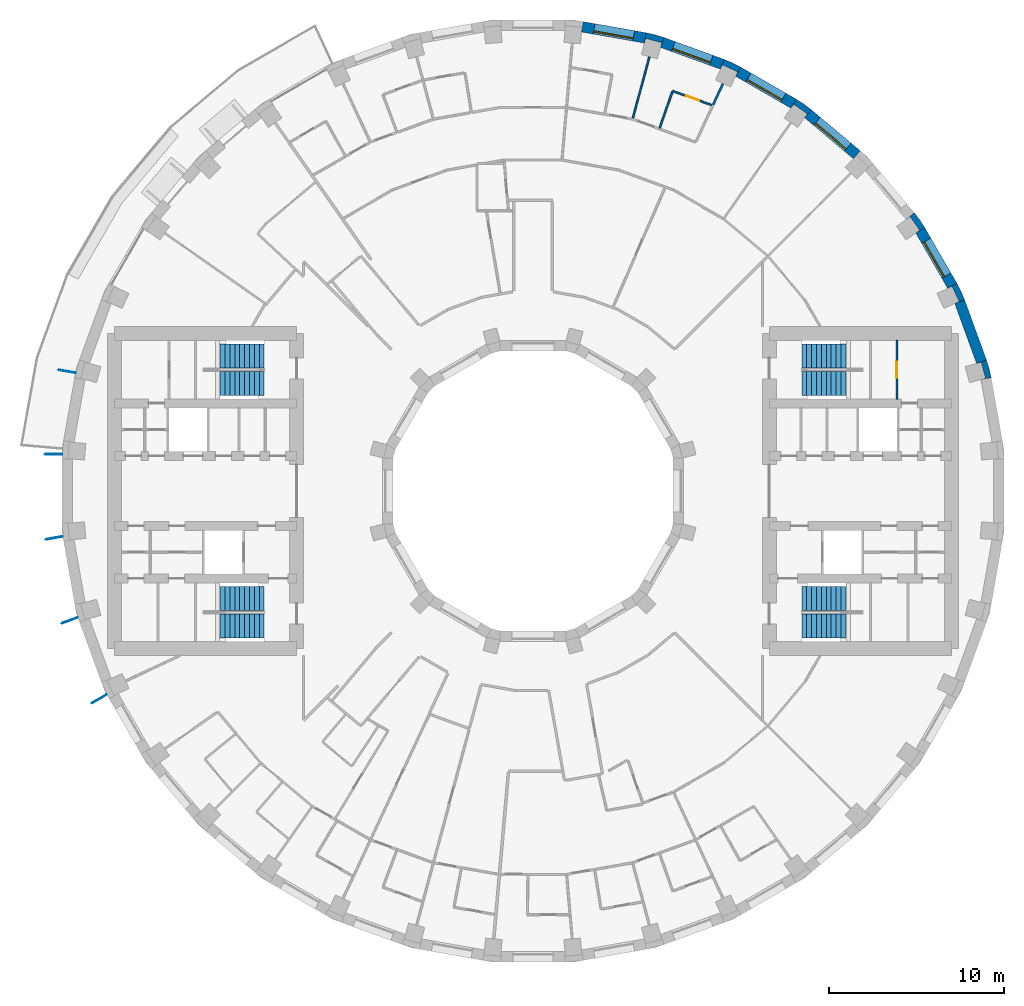
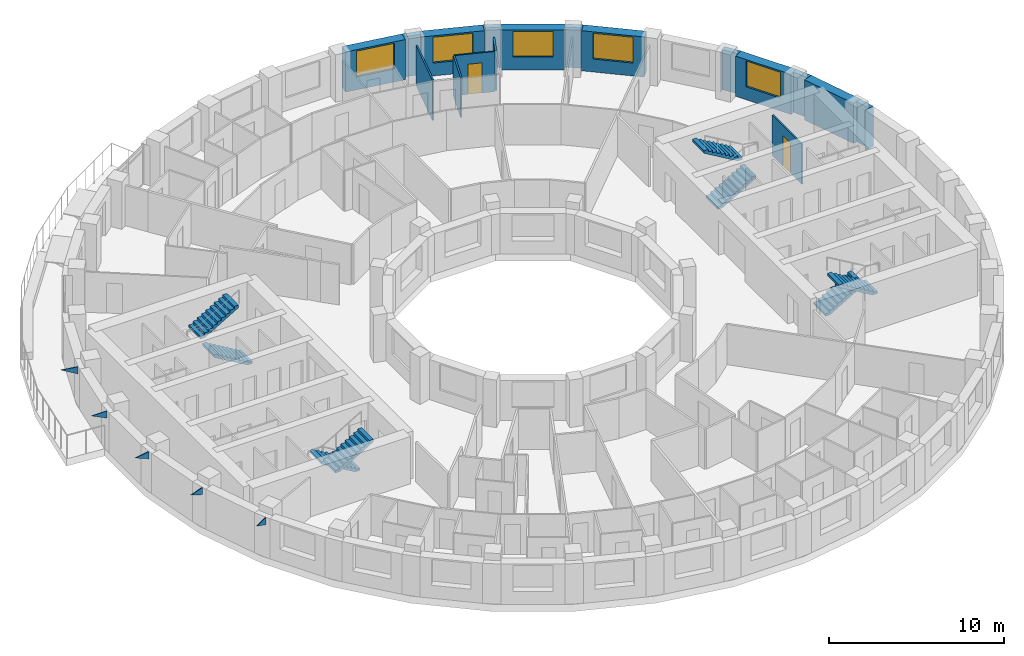
# One storey, part 13 of 15: 17 walls, 8 stair flights, 5 discrete accessories, 5 windows, 2 doors, 7 openings, 4 elements without a shape of their own.
"""IFC4 building model written with IfcOpenShell, lengths in metres."""

from ifc_helpers import new_model, si_unit, direction, frame, frame_2d, origin, place, context, subcontext, project, spatial, polyline, rectangle, outline, extrude, material, layer, layer_set, type_object, element, fill, aggregate, save


model = new_model("IFC4")

# Units and contexts
model_context = context("Model", 3, precision=1e-05, world=origin(), true_north=direction((0.0, 1.0)))
body_context = subcontext(model_context, "Body", "Model", "MODEL_VIEW")
ifc_project = project(units=[si_unit("LENGTHUNIT", "METRE"), si_unit("AREAUNIT", "SQUARE_METRE"), si_unit("VOLUMEUNIT", "CUBIC_METRE"), si_unit("PLANEANGLEUNIT", "RADIAN"), si_unit("MASSUNIT", "GRAM", prefix="KILO")], contexts=[model_context])

# Site, building, storey
site_placement = place(None, origin())
site = spatial("IfcSite", under=ifc_project, at=site_placement, CompositionType="ELEMENT")
building_placement = place(site_placement, origin())
building = spatial("IfcBuilding", under=site, at=building_placement, Name="Saqina Gate Tower", CompositionType="ELEMENT")
storey_placement = place(building_placement, frame((0.0, 0.0, 108.39990234375)))
storey = spatial("IfcBuildingStorey", under=building, at=storey_placement, Name="L30", CompositionType="ELEMENT", Elevation=108.39990234375)

# Walls
ifc_material_1 = material(Name="Brick masonry (buff)", Category="masonry")
wall_type_1 = type_object("IfcWallType", Name="BRICK PIER COPING BUFF", PredefinedType="SOLIDWALL", material=ifc_material_1)
wall_1_placement = place(storey_placement, origin())
element("IfcWall", 1, at=wall_1_placement, inside=storey, type_object=wall_type_1, Name="Pier cap L30 column 2", PredefinedType="SOLIDWALL", context=body_context, shape_type="SweptSolid", body=[
    extrude(outline(polyline([(26.171875, 6.466796875), (25.89892578125, 7.485595703125), (25.335205078125, 7.2802734375), (25.5947265625, 7.349853515625), (25.8408203125, 6.43212890625), (25.5810546875, 6.36279296875), (26.171875, 6.466796875)])), origin(), (0.0, 0.0, 1.0), 2.800048828125),
])
wall_2_placement = place(storey_placement, origin())
element("IfcWall", 2, at=wall_2_placement, inside=storey, type_object=wall_type_1, Name="Pier cap L30 column 3", PredefinedType="SOLIDWALL", context=body_context, shape_type="SweptSolid", body=[
    extrude(outline(polyline([(24.6513671875, 10.913330078125), (24.205810546875, 11.869140625), (23.68603515625, 11.569091796875), (23.9296875, 11.6826171875), (24.331298828125, 10.82177734375), (24.08740234375, 10.7080078125), (24.6513671875, 10.913330078125)])), origin(), (0.0, 0.0, 1.0), 2.800048828125),
])
wall_3_placement = place(storey_placement, origin())
element("IfcWall", 3, at=wall_3_placement, inside=storey, type_object=wall_type_1, Name="Pier cap L30 column 4", PredefinedType="SOLIDWALL", context=body_context, shape_type="SweptSolid", body=[
    extrude(outline(polyline([(21.77685546875, 15.89208984375), (21.317138671875, 15.50634765625), (21.53759765625, 15.66064453125), (22.08251953125, 14.88232421875), (21.862060546875, 14.728271484375), (22.3818359375, 15.0283203125), (21.77685546875, 15.89208984375)])), origin(), (0.0, 0.0, 1.0), 2.800048828125),
])
wall_4_placement = place(storey_placement, origin())
element("IfcWall", 4, at=wall_4_placement, inside=storey, type_object=wall_type_1, Name="Pier cap L30 column 6", PredefinedType="SOLIDWALL", context=body_context, shape_type="SweptSolid", body=[
    extrude(outline(polyline([(15.0283203125, 22.3818359375), (14.728271484375, 21.862060546875), (14.88232421875, 22.08251953125), (15.66064453125, 21.53759765625), (15.50634765625, 21.317138671875), (15.89208984375, 21.77685546875), (15.0283203125, 22.3818359375)])), origin(), (0.0, 0.0, 1.0), 2.800048828125),
])
wall_5_placement = place(storey_placement, origin())
element("IfcWall", 5, at=wall_5_placement, inside=storey, type_object=wall_type_1, Name="Pier cap L30 column 7", PredefinedType="SOLIDWALL", context=body_context, shape_type="SweptSolid", body=[
    extrude(outline(polyline([(10.913330078125, 24.6513671875), (10.7080078125, 24.08740234375), (10.82177734375, 24.331298828125), (11.6826171875, 23.9296875), (11.569091796875, 23.68603515625), (11.869140625, 24.205810546875), (10.913330078125, 24.6513671875)])), origin(), (0.0, 0.0, 1.0), 2.800048828125),
])
wall_6_placement = place(storey_placement, origin())
element("IfcWall", 6, at=wall_6_placement, inside=storey, type_object=wall_type_1, Name="Pier cap L30 column 8", PredefinedType="SOLIDWALL", context=body_context, shape_type="SweptSolid", body=[
    extrude(outline(polyline([(7.485595703125, 25.89892578125), (6.466796875, 26.171875), (6.36279296875, 25.5810546875), (6.43212890625, 25.8408203125), (7.349853515625, 25.5947265625), (7.2802734375, 25.335205078125), (7.485595703125, 25.89892578125)])), origin(), (0.0, 0.0, 1.0), 2.800048828125),
])

# Wall, opening, door
ifc_material_2 = material(Name="Gypsum board on steel studs", Category="steel")
ifc_layer_1 = layer(ifc_material_2, 0.10009765625)
ifc_layer_set_1 = layer_set([ifc_layer_1], Name="CORE PARTITION")
wall_type_2 = type_object("IfcWallType", Name="CORE PARTITION", PredefinedType="PARTITIONING", material=ifc_layer_set_1)
wall_7_placement = place(storey_placement, frame((20.782958984375, 5.25, 0.0), z_axis=(0.0, 0.0, 1.0), x_axis=(0.0, 1.0, 0.0)))
wall_7 = element("IfcWall", 7, at=wall_7_placement, inside=storey, type_object=wall_type_2, Name="L30-CP-E14", PredefinedType="PARTITIONING", context=body_context, shape_type="SweptSolid", body=[
    extrude(rectangle(XDim=3.35009765625, YDim=0.10009765625, at=frame_2d((1.675048828125, 0.0))), origin(), (0.0, 0.0, 1.0), 2.800048828125),
])
opening_1_placement = place(wall_7_placement, frame((1.22509765625, 0.0, 0.0)))
opening_1 = element("IfcOpeningElement", 8, at=opening_1_placement, cuts=wall_7, Name="Opening G08-D100", PredefinedType="OPENING", context=body_context, shape_type="SweptSolid", body=[
    extrude(rectangle(XDim=0.89990234375, YDim=2.10009765625, at=frame_2d((0.449951171875, 1.050048828125))), frame((0.0, 0.06201171875, 0.0), z_axis=(0.0, -1.0, 0.0), x_axis=(1.0, 0.0, 0.0)), (0.0, 0.0, 1.0), 0.1240234375),
])
ifc_material_3 = material(Name="Steel-framed fire door leaf, EI 60", Category="steel")
door_type_1 = type_object("IfcDoorType", Name="SERVICE ROOM DOOR 900", OperationType="SINGLE_SWING_LEFT", PredefinedType="DOOR", material=ifc_material_3)
door_1_placement = place(opening_1_placement, frame((0.89990234375, 0.0, 0.0), z_axis=(0.0, 0.0, 1.0), x_axis=(-1.0, 0.0, 0.0)))
door_1 = element("IfcDoor", 9, at=door_1_placement, inside=storey, type_object=door_type_1, Name="L30-CD-E11", OperationType="SINGLE_SWING_LEFT", OverallHeight=2.10009765625, OverallWidth=0.89990234375, PredefinedType="DOOR", context=body_context, shape_type="SweptSolid", body=[
    extrude(rectangle(XDim=0.89990234375, YDim=2.10009765625, at=frame_2d((0.449951171875, 1.050048828125))), frame((0.0, 0.02490234375, 0.0), z_axis=(0.0, -1.0, 0.0), x_axis=(1.0, 0.0, 0.0)), (0.0, 0.0, 1.0), 0.050048828125),
])
fill(opening_1, door_1)

# Wall, opening, window
ifc_material_4 = material(Name="Brick masonry (buff)", Category="masonry")
ifc_layer_2 = layer(ifc_material_4, 0.60009765625)
ifc_layer_set_2 = layer_set([ifc_layer_2], Name="FW-BRICK-BUFF")
wall_type_3 = type_object("IfcWallType", Name="FW-BRICK-BUFF", PredefinedType="SOLIDWALL", material=ifc_layer_set_2)
wall_8_placement = place(storey_placement, frame((23.94580078125, 11.718994140625, 0.0), z_axis=(0.0, 0.0, 1.0), x_axis=(-0.499954196102, 0.866051847062, 0.0)))
wall_8 = element("IfcWall", 10, at=wall_8_placement, inside=storey, type_object=wall_type_3, Name="Facade wall L30 facet 3", PredefinedType="SOLIDWALL", context=body_context, shape_type="SweptSolid", body=[
    extrude(rectangle(XDim=3.647705078125, YDim=0.60009765625, at=frame_2d((1.82373046875, 0.0))), origin(), (0.0, 0.0, 1.0), 2.800048828125),
])
opening_2_placement = place(wall_8_placement, frame((0.673828125, 0.0, 0.89990234375)))
opening_2 = element("IfcOpeningElement", 11, at=opening_2_placement, cuts=wall_8, Name="Opening G08-W01", PredefinedType="OPENING", context=body_context, shape_type="SweptSolid", body=[
    extrude(rectangle(XDim=2.300048828125, YDim=1.800048828125, at=frame_2d((1.14990234375, 0.89990234375))), frame((0.0, 0.31201171875, 0.0), z_axis=(0.0, -1.0, 0.0), x_axis=(1.0, 0.0, 0.0)), (0.0, 0.0, 1.0), 0.6240234375),
])
ifc_material_5 = material(Name="Aluminium glazing", Category="aluminium")
window_type = type_object("IfcWindowType", Name="WN-B", PartitioningType="SINGLE_PANEL", PredefinedType="WINDOW", material=ifc_material_5)
window_1_placement = place(opening_2_placement, origin())
window_1 = element("IfcWindow", 12, at=window_1_placement, inside=storey, type_object=window_type, Name="Window L30 facet 3", OverallHeight=1.800048828125, OverallWidth=2.300048828125, PartitioningType="SINGLE_PANEL", PredefinedType="WINDOW", context=body_context, shape_type="SweptSolid", body=[
    extrude(rectangle(XDim=2.300048828125, YDim=1.800048828125, at=frame_2d((1.14990234375, 0.89990234375))), frame((0.0, 0.179931640625, 0.0), z_axis=(0.0, -1.0, 0.0), x_axis=(1.0, 0.0, 0.0)), (0.0, 0.0, 1.0), 0.06005859375),
])
fill(opening_2, window_1)

wall_9_placement = place(storey_placement, frame((18.49365234375, 19.202392578125, 0.0), z_axis=(0.0, 0.0, 1.0), x_axis=(-0.766055462616, 0.642774476932, 0.0)))
wall_9 = element("IfcWall", 13, at=wall_9_placement, inside=storey, type_object=wall_type_3, Name="Facade wall L30 facet 5", PredefinedType="SOLIDWALL", context=body_context, shape_type="SweptSolid", body=[
    extrude(rectangle(XDim=3.647705078125, YDim=0.60009765625, at=frame_2d((1.82373046875, 0.0))), origin(), (0.0, 0.0, 1.0), 2.800048828125),
])
opening_3_placement = place(wall_9_placement, frame((0.673828125, 0.0, 0.89990234375)))
opening_3 = element("IfcOpeningElement", 14, at=opening_3_placement, cuts=wall_9, Name="Opening G08-W03", PredefinedType="OPENING", context=body_context, shape_type="SweptSolid", body=[
    extrude(rectangle(XDim=2.300048828125, YDim=1.800048828125, at=frame_2d((1.14990234375, 0.89990234375))), frame((0.0, 0.31201171875, 0.0), z_axis=(0.0, -1.0, 0.0), x_axis=(1.0, 0.0, 0.0)), (0.0, 0.0, 1.0), 0.6240234375),
])
window_2_placement = place(opening_3_placement, origin())
window_2 = element("IfcWindow", 15, at=window_2_placement, inside=storey, type_object=window_type, Name="Window L30 facet 5", OverallHeight=1.800048828125, OverallWidth=2.300048828125, PartitioningType="SINGLE_PANEL", PredefinedType="WINDOW", context=body_context, shape_type="SweptSolid", body=[
    extrude(rectangle(XDim=2.300048828125, YDim=1.800048828125, at=frame_2d((1.14990234375, 0.89990234375))), frame((0.0, 0.179931640625, 0.0), z_axis=(0.0, -1.0, 0.0), x_axis=(1.0, 0.0, 0.0)), (0.0, 0.0, 1.0), 0.06005859375),
])
fill(opening_3, window_2)

wall_10_placement = place(storey_placement, frame((14.878173828125, 22.1220703125, 0.0), z_axis=(0.0, 0.0, 1.0), x_axis=(-0.866051847062, 0.499954196102, 0.0)))
wall_10 = element("IfcWall", 16, at=wall_10_placement, inside=storey, type_object=wall_type_3, Name="Facade wall L30 facet 6", PredefinedType="SOLIDWALL", context=body_context, shape_type="SweptSolid", body=[
    extrude(rectangle(XDim=3.647705078125, YDim=0.60009765625, at=frame_2d((1.82373046875, 0.0))), origin(), (0.0, 0.0, 1.0), 2.800048828125),
])
opening_4_placement = place(wall_10_placement, frame((0.673828125, 0.0, 0.89990234375)))
opening_4 = element("IfcOpeningElement", 17, at=opening_4_placement, cuts=wall_10, Name="Opening G08-W04", PredefinedType="OPENING", context=body_context, shape_type="SweptSolid", body=[
    extrude(rectangle(XDim=2.300048828125, YDim=1.800048828125, at=frame_2d((1.14990234375, 0.89990234375))), frame((0.0, 0.31201171875, 0.0), z_axis=(0.0, -1.0, 0.0), x_axis=(1.0, 0.0, 0.0)), (0.0, 0.0, 1.0), 0.6240234375),
])
window_3_placement = place(opening_4_placement, origin())
window_3 = element("IfcWindow", 18, at=window_3_placement, inside=storey, type_object=window_type, Name="Window L30 facet 6", OverallHeight=1.800048828125, OverallWidth=2.300048828125, PartitioningType="SINGLE_PANEL", PredefinedType="WINDOW", context=body_context, shape_type="SweptSolid", body=[
    extrude(rectangle(XDim=2.300048828125, YDim=1.800048828125, at=frame_2d((1.14990234375, 0.89990234375))), frame((0.0, 0.179931640625, 0.0), z_axis=(0.0, -1.0, 0.0), x_axis=(1.0, 0.0, 0.0)), (0.0, 0.0, 1.0), 0.06005859375),
])
fill(opening_4, window_3)

wall_11_placement = place(storey_placement, frame((10.810791015625, 24.369384765625, 0.0), z_axis=(0.0, 0.0, 1.0), x_axis=(-0.939703505393, 0.341990236633, 0.0)))
wall_11 = element("IfcWall", 19, at=wall_11_placement, inside=storey, type_object=wall_type_3, Name="Facade wall L30 facet 7", PredefinedType="SOLIDWALL", context=body_context, shape_type="SweptSolid", body=[
    extrude(rectangle(XDim=3.64794921875, YDim=0.60009765625, at=frame_2d((1.823974609375, 0.0))), origin(), (0.0, 0.0, 1.0), 2.800048828125),
])
opening_5_placement = place(wall_11_placement, frame((0.673828125, 0.0, 0.89990234375)))
opening_5 = element("IfcOpeningElement", 20, at=opening_5_placement, cuts=wall_11, Name="Opening G08-W05", PredefinedType="OPENING", context=body_context, shape_type="SweptSolid", body=[
    extrude(rectangle(XDim=2.300048828125, YDim=1.800048828125, at=frame_2d((1.14990234375, 0.89990234375))), frame((0.0, 0.31201171875, 0.0), z_axis=(0.0, -1.0, 0.0), x_axis=(1.0, 0.0, 0.0)), (0.0, 0.0, 1.0), 0.6240234375),
])
window_4_placement = place(opening_5_placement, origin())
window_4 = element("IfcWindow", 21, at=window_4_placement, inside=storey, type_object=window_type, Name="Window L30 facet 7", OverallHeight=1.800048828125, OverallWidth=2.300048828125, PartitioningType="SINGLE_PANEL", PredefinedType="WINDOW", context=body_context, shape_type="SweptSolid", body=[
    extrude(rectangle(XDim=2.300048828125, YDim=1.800048828125, at=frame_2d((1.14990234375, 0.89990234375))), frame((0.0, 0.179931640625, 0.0), z_axis=(0.0, -1.0, 0.0), x_axis=(1.0, 0.0, 0.0)), (0.0, 0.0, 1.0), 0.06005859375),
])
fill(opening_5, window_4)

wall_12_placement = place(storey_placement, frame((6.414794921875, 25.87646484375, 0.0), z_axis=(0.0, 0.0, 1.0), x_axis=(-0.984803764455, 0.173670796382, 0.0)))
wall_12 = element("IfcWall", 22, at=wall_12_placement, inside=storey, type_object=wall_type_3, Name="Facade wall L30 facet 8", PredefinedType="SOLIDWALL", context=body_context, shape_type="SweptSolid", body=[
    extrude(rectangle(XDim=3.64794921875, YDim=0.60009765625, at=frame_2d((1.823974609375, 0.0))), origin(), (0.0, 0.0, 1.0), 2.800048828125),
])
opening_6_placement = place(wall_12_placement, frame((0.673828125, 0.0, 0.89990234375)))
opening_6 = element("IfcOpeningElement", 23, at=opening_6_placement, cuts=wall_12, Name="Opening G08-W06", PredefinedType="OPENING", context=body_context, shape_type="SweptSolid", body=[
    extrude(rectangle(XDim=2.300048828125, YDim=1.800048828125, at=frame_2d((1.14990234375, 0.89990234375))), frame((0.0, 0.31201171875, 0.0), z_axis=(0.0, -1.0, 0.0), x_axis=(1.0, 0.0, 0.0)), (0.0, 0.0, 1.0), 0.6240234375),
])
window_5_placement = place(opening_6_placement, origin())
window_5 = element("IfcWindow", 24, at=window_5_placement, inside=storey, type_object=window_type, Name="Window L30 facet 8", OverallHeight=1.800048828125, OverallWidth=2.300048828125, PartitioningType="SINGLE_PANEL", PredefinedType="WINDOW", context=body_context, shape_type="SweptSolid", body=[
    extrude(rectangle(XDim=2.300048828125, YDim=1.800048828125, at=frame_2d((1.14990234375, 0.89990234375))), frame((0.0, 0.179931640625, 0.0), z_axis=(0.0, -1.0, 0.0), x_axis=(1.0, 0.0, 0.0)), (0.0, 0.0, 1.0), 0.06005859375),
])
fill(opening_6, window_5)

# Wall
ifc_material_6 = material(Name="Glazed ceramic tile (white)", Category="ceramic")
ifc_layer_3 = layer(ifc_material_6, 0.60009765625)
ifc_layer_set_3 = layer_set([ifc_layer_3], Name="FW-TILE-WH")
wall_type_4 = type_object("IfcWallType", Name="FW-TILE-WH", PredefinedType="SOLIDWALL", material=ifc_layer_set_3)
wall_13_placement = place(storey_placement, frame((25.616943359375, 7.3828125, 0.0), z_axis=(0.0, 0.0, 1.0), x_axis=(-0.341990236633, 0.939703505393, 0.0)))
element("IfcWall", 25, at=wall_13_placement, inside=storey, type_object=wall_type_4, Name="Facade wall L30 facet 2", PredefinedType="SOLIDWALL", context=body_context, shape_type="SweptSolid", body=[
    extrude(rectangle(XDim=3.64794921875, YDim=0.60009765625, at=frame_2d((1.823974609375, 0.0))), origin(), (0.0, 0.0, 1.0), 2.800048828125),
])

# Wall, opening, door
ifc_material_7 = material(Name="Gypsum board on steel studs, 100 mm", Category="steel")
ifc_layer_4 = layer(ifc_material_7, 0.10009765625)
ifc_layer_set_4 = layer_set([ifc_layer_4], Name="PARTITION 100")
wall_type_5 = type_object("IfcWallType", Name="PARTITION 100", PredefinedType="PARTITIONING", material=ifc_layer_set_4)
wall_14_placement = place(storey_placement, frame((7.97607421875, 22.846923828125, 0.0), z_axis=(0.0, 0.0, 1.0), x_axis=(0.939727609181, -0.341923998196, 0.0)))
wall_14 = element("IfcWall", 26, at=wall_14_placement, inside=storey, type_object=wall_type_5, Name="PARTITION PW3-36", PredefinedType="PARTITIONING", context=body_context, shape_type="SweptSolid", body=[
    extrude(rectangle(XDim=2.38330078125, YDim=0.10009765625, at=frame_2d((1.191650390625, 0.0))), origin(), (0.0, 0.0, 1.0), 2.800048828125),
])
opening_7_placement = place(wall_14_placement, frame((0.81787109375, 0.0, 0.0)))
opening_7 = element("IfcOpeningElement", 27, at=opening_7_placement, cuts=wall_14, Name="Opening G08-D05", PredefinedType="OPENING", context=body_context, shape_type="SweptSolid", body=[
    extrude(rectangle(XDim=0.800048828125, YDim=2.10009765625, at=frame_2d((0.39990234375, 1.050048828125))), frame((0.0, 0.06201171875, 0.0), z_axis=(0.0, -1.0, 0.0), x_axis=(1.0, 0.0, 0.0)), (0.0, 0.0, 1.0), 0.1240234375),
])
ifc_material_8 = material(Name="Timber door leaf, 800 mm", Category="wood")
door_type_2 = type_object("IfcDoorType", Name="DOOR 800 TIMBER", OperationType="SINGLE_SWING_LEFT", PredefinedType="DOOR", material=ifc_material_8)
door_2_placement = place(opening_7_placement, origin())
door_2 = element("IfcDoor", 28, at=door_2_placement, inside=storey, type_object=door_type_2, Name="DOOR G08-D05", OperationType="SINGLE_SWING_RIGHT", OverallHeight=2.10009765625, OverallWidth=0.800048828125, PredefinedType="DOOR", context=body_context, shape_type="SweptSolid", body=[
    extrude(rectangle(XDim=0.800048828125, YDim=2.10009765625, at=frame_2d((0.39990234375, 1.050048828125))), frame((0.0, 0.02490234375, 0.0), z_axis=(0.0, -1.0, 0.0), x_axis=(1.0, 0.0, 0.0)), (0.0, 0.0, 1.0), 0.050048828125),
])
fill(opening_7, door_2)

# Walls
wall_15_placement = place(storey_placement, frame((7.234375, 20.72314453125, 0.0), z_axis=(0.0, 0.0, 1.0), x_axis=(0.329648286048, 0.944103811827, 0.0)))
element("IfcWall", 29, at=wall_15_placement, inside=storey, type_object=wall_type_5, Name="PARTITION PW3-87", PredefinedType="PARTITIONING", context=body_context, shape_type="SweptSolid", body=[
    extrude(rectangle(XDim=2.19970703125, YDim=0.10009765625, at=frame_2d((1.099853515625, 0.0))), origin(), (0.0, 0.0, 1.0), 2.800048828125),
])
wall_16_placement = place(storey_placement, frame((5.705078125, 21.29248046875, 0.0), z_axis=(0.0, 0.0, 1.0), x_axis=(0.258807972942, 0.965928792997, 0.0)))
element("IfcWall", 30, at=wall_16_placement, inside=storey, type_object=wall_type_5, Name="PARTITION PW3-89", PredefinedType="PARTITIONING", context=body_context, shape_type="SweptSolid", body=[
    extrude(rectangle(XDim=3.621337890625, YDim=0.10009765625, at=frame_2d((1.810546875, 0.0))), origin(), (0.0, 0.0, 1.0), 2.800048828125),
])
ifc_material_9 = material(Name="Gypsum board on steel studs, 125 mm, fire rated", Category="steel")
ifc_layer_5 = layer(ifc_material_9, 0.125)
ifc_layer_set_5 = layer_set([ifc_layer_5], Name="PARTITION EI 30 125")
wall_type_6 = type_object("IfcWallType", Name="PARTITION EI 30 125", PredefinedType="PARTITIONING", material=ifc_layer_set_5)
wall_17_placement = place(storey_placement, frame((10.286376953125, 22.05908203125, 0.0), z_axis=(0.0, 0.0, 1.0), x_axis=(0.422582903395, 0.906324274064, 0.0)))
element("IfcWall", 31, at=wall_17_placement, inside=storey, type_object=wall_type_6, Name="PARTITION PW1-53", PredefinedType="PARTITIONING", context=body_context, shape_type="SweptSolid", body=[
    extrude(rectangle(XDim=1.325439453125, YDim=0.125, at=frame_2d((0.66259765625, 0.0))), origin(), (0.0, 0.0, 1.0), 2.800048828125),
])

# Stair, stair flights
ifc_material_10 = material(Name="Concrete C40/50", Category="concrete")
stair_type = type_object("IfcStairType", Name="EXIT STAIR", PredefinedType="HALF_TURN_STAIR", material=ifc_material_10)
stair_1_placement = place(storey_placement, origin())
stair_1 = element("IfcStair", 32, at=stair_1_placement, inside=storey, type_object=stair_type, Name="EXIT STAIR 1", PredefinedType="HALF_TURN_STAIR")
ifc_material_11 = material(Name="Concrete C40/50", Category="concrete")
stair_flight_type = type_object("IfcStairFlightType", Name="EXIT STAIR FLIGHT", PredefinedType="STRAIGHT", material=ifc_material_11)
stair_flight_1_placement = place(storey_placement, frame((15.35009765625, 6.1416015625, 0.0), z_axis=(0.0, 0.0, 1.0), x_axis=(1.0, 0.0, 0.0)))
stair_flight_1 = element("IfcStairFlight", 33, at=stair_flight_1_placement, type_object=stair_flight_type, Name="EXIT STAIR 1 FLIGHT 1", NumberOfRisers=10, NumberOfTreads=9, PredefinedType="STRAIGHT", RiserHeight=0.165, TreadLength=0.28, context=body_context, shape_type="SweptSolid", body=[
    extrude(outline(polyline([(0.0, 0.0), (0.0, 0.1650390625), (0.280029296875, 0.1650390625), (0.280029296875, 0.330078125), (0.56005859375, 0.330078125), (0.56005859375, 0.4951171875), (0.840087890625, 0.4951171875), (0.840087890625, 0.659912109375), (1.1201171875, 0.659912109375), (1.1201171875, 0.824951171875), (1.39990234375, 0.824951171875), (1.39990234375, 0.989990234375), (1.679931640625, 0.989990234375), (1.679931640625, 1.155029296875), (1.9599609375, 1.155029296875), (1.9599609375, 1.320068359375), (2.239990234375, 1.320068359375), (2.239990234375, 1.485107421875), (2.52001953125, 1.485107421875), (2.52001953125, 1.64990234375), (2.52001953125, 1.31103515625), (0.295166015625, 0.0), (0.0, 0.0)])), frame((0.0, 0.675048828125, 0.0), z_axis=(0.0, -1.0, 0.0), x_axis=(1.0, 0.0, 0.0)), (0.0, 0.0, 1.0), 1.35009765625),
])
stair_flight_2_placement = place(storey_placement, frame((17.8701171875, 7.708251953125, 1.650146484375), z_axis=(0.0, 0.0, 1.0), x_axis=(-1.0, 0.0, 0.0)))
stair_flight_2 = element("IfcStairFlight", 34, at=stair_flight_2_placement, type_object=stair_flight_type, Name="EXIT STAIR 1 FLIGHT 2", NumberOfRisers=10, NumberOfTreads=9, PredefinedType="STRAIGHT", RiserHeight=0.165, TreadLength=0.28, context=body_context, shape_type="SweptSolid", body=[
    extrude(outline(polyline([(0.0, 0.0), (0.0, 0.1650390625), (0.280029296875, 0.1650390625), (0.280029296875, 0.330078125), (0.56005859375, 0.330078125), (0.56005859375, 0.4951171875), (0.840087890625, 0.4951171875), (0.840087890625, 0.659912109375), (1.1201171875, 0.659912109375), (1.1201171875, 0.824951171875), (1.39990234375, 0.824951171875), (1.39990234375, 0.989990234375), (1.679931640625, 0.989990234375), (1.679931640625, 1.155029296875), (1.9599609375, 1.155029296875), (1.9599609375, 1.320068359375), (2.239990234375, 1.320068359375), (2.239990234375, 1.485107421875), (2.52001953125, 1.485107421875), (2.52001953125, 1.64990234375), (2.52001953125, 1.31103515625), (0.295166015625, 0.0), (0.0, 0.0)])), frame((0.0, 0.675048828125, 0.0), z_axis=(0.0, -1.0, 0.0), x_axis=(1.0, 0.0, 0.0)), (0.0, 0.0, 1.0), 1.35009765625),
])
aggregate(stair_1, [stair_flight_1, stair_flight_2])

stair_2_placement = place(storey_placement, origin())
stair_2 = element("IfcStair", 35, at=stair_2_placement, inside=storey, type_object=stair_type, Name="EXIT STAIR 2", PredefinedType="HALF_TURN_STAIR")
stair_flight_3_placement = place(storey_placement, frame((15.35009765625, -6.1416015625, 0.0), z_axis=(0.0, 0.0, 1.0), x_axis=(1.0, 0.0, 0.0)))
stair_flight_3 = element("IfcStairFlight", 36, at=stair_flight_3_placement, type_object=stair_flight_type, Name="EXIT STAIR 2 FLIGHT 1", NumberOfRisers=10, NumberOfTreads=9, PredefinedType="STRAIGHT", RiserHeight=0.165, TreadLength=0.28, context=body_context, shape_type="SweptSolid", body=[
    extrude(outline(polyline([(0.0, 0.0), (0.0, 0.1650390625), (0.280029296875, 0.1650390625), (0.280029296875, 0.330078125), (0.56005859375, 0.330078125), (0.56005859375, 0.4951171875), (0.840087890625, 0.4951171875), (0.840087890625, 0.659912109375), (1.1201171875, 0.659912109375), (1.1201171875, 0.824951171875), (1.39990234375, 0.824951171875), (1.39990234375, 0.989990234375), (1.679931640625, 0.989990234375), (1.679931640625, 1.155029296875), (1.9599609375, 1.155029296875), (1.9599609375, 1.320068359375), (2.239990234375, 1.320068359375), (2.239990234375, 1.485107421875), (2.52001953125, 1.485107421875), (2.52001953125, 1.64990234375), (2.52001953125, 1.31103515625), (0.295166015625, 0.0), (0.0, 0.0)])), frame((0.0, 0.675048828125, 0.0), z_axis=(0.0, -1.0, 0.0), x_axis=(1.0, 0.0, 0.0)), (0.0, 0.0, 1.0), 1.35009765625),
])
stair_flight_4_placement = place(storey_placement, frame((17.8701171875, -7.708251953125, 1.650146484375), z_axis=(0.0, 0.0, 1.0), x_axis=(-1.0, 0.0, 0.0)))
stair_flight_4 = element("IfcStairFlight", 37, at=stair_flight_4_placement, type_object=stair_flight_type, Name="EXIT STAIR 2 FLIGHT 2", NumberOfRisers=10, NumberOfTreads=9, PredefinedType="STRAIGHT", RiserHeight=0.165, TreadLength=0.28, context=body_context, shape_type="SweptSolid", body=[
    extrude(outline(polyline([(0.0, 0.0), (0.0, 0.1650390625), (0.280029296875, 0.1650390625), (0.280029296875, 0.330078125), (0.56005859375, 0.330078125), (0.56005859375, 0.4951171875), (0.840087890625, 0.4951171875), (0.840087890625, 0.659912109375), (1.1201171875, 0.659912109375), (1.1201171875, 0.824951171875), (1.39990234375, 0.824951171875), (1.39990234375, 0.989990234375), (1.679931640625, 0.989990234375), (1.679931640625, 1.155029296875), (1.9599609375, 1.155029296875), (1.9599609375, 1.320068359375), (2.239990234375, 1.320068359375), (2.239990234375, 1.485107421875), (2.52001953125, 1.485107421875), (2.52001953125, 1.64990234375), (2.52001953125, 1.31103515625), (0.295166015625, 0.0), (0.0, 0.0)])), frame((0.0, 0.675048828125, 0.0), z_axis=(0.0, -1.0, 0.0), x_axis=(1.0, 0.0, 0.0)), (0.0, 0.0, 1.0), 1.35009765625),
])
aggregate(stair_2, [stair_flight_3, stair_flight_4])

stair_3_placement = place(storey_placement, origin())
stair_3 = element("IfcStair", 38, at=stair_3_placement, inside=storey, type_object=stair_type, Name="EXIT STAIR 3", PredefinedType="HALF_TURN_STAIR")
stair_flight_5_placement = place(storey_placement, frame((-15.35009765625, 6.1416015625, 0.0), z_axis=(0.0, 0.0, 1.0), x_axis=(-1.0, 0.0, 0.0)))
stair_flight_5 = element("IfcStairFlight", 39, at=stair_flight_5_placement, type_object=stair_flight_type, Name="EXIT STAIR 3 FLIGHT 1", NumberOfRisers=10, NumberOfTreads=9, PredefinedType="STRAIGHT", RiserHeight=0.165, TreadLength=0.28, context=body_context, shape_type="SweptSolid", body=[
    extrude(outline(polyline([(0.0, 0.0), (0.0, 0.1650390625), (0.280029296875, 0.1650390625), (0.280029296875, 0.330078125), (0.56005859375, 0.330078125), (0.56005859375, 0.4951171875), (0.840087890625, 0.4951171875), (0.840087890625, 0.659912109375), (1.1201171875, 0.659912109375), (1.1201171875, 0.824951171875), (1.39990234375, 0.824951171875), (1.39990234375, 0.989990234375), (1.679931640625, 0.989990234375), (1.679931640625, 1.155029296875), (1.9599609375, 1.155029296875), (1.9599609375, 1.320068359375), (2.239990234375, 1.320068359375), (2.239990234375, 1.485107421875), (2.52001953125, 1.485107421875), (2.52001953125, 1.64990234375), (2.52001953125, 1.31103515625), (0.295166015625, 0.0), (0.0, 0.0)])), frame((0.0, 0.675048828125, 0.0), z_axis=(0.0, -1.0, 0.0), x_axis=(1.0, 0.0, 0.0)), (0.0, 0.0, 1.0), 1.35009765625),
])
stair_flight_6_placement = place(storey_placement, frame((-17.8701171875, 7.708251953125, 1.650146484375), z_axis=(0.0, 0.0, 1.0), x_axis=(1.0, 0.0, 0.0)))
stair_flight_6 = element("IfcStairFlight", 40, at=stair_flight_6_placement, type_object=stair_flight_type, Name="EXIT STAIR 3 FLIGHT 2", NumberOfRisers=10, NumberOfTreads=9, PredefinedType="STRAIGHT", RiserHeight=0.165, TreadLength=0.28, context=body_context, shape_type="SweptSolid", body=[
    extrude(outline(polyline([(0.0, 0.0), (0.0, 0.1650390625), (0.280029296875, 0.1650390625), (0.280029296875, 0.330078125), (0.56005859375, 0.330078125), (0.56005859375, 0.4951171875), (0.840087890625, 0.4951171875), (0.840087890625, 0.659912109375), (1.1201171875, 0.659912109375), (1.1201171875, 0.824951171875), (1.39990234375, 0.824951171875), (1.39990234375, 0.989990234375), (1.679931640625, 0.989990234375), (1.679931640625, 1.155029296875), (1.9599609375, 1.155029296875), (1.9599609375, 1.320068359375), (2.239990234375, 1.320068359375), (2.239990234375, 1.485107421875), (2.52001953125, 1.485107421875), (2.52001953125, 1.64990234375), (2.52001953125, 1.31103515625), (0.295166015625, 0.0), (0.0, 0.0)])), frame((0.0, 0.675048828125, 0.0), z_axis=(0.0, -1.0, 0.0), x_axis=(1.0, 0.0, 0.0)), (0.0, 0.0, 1.0), 1.35009765625),
])
aggregate(stair_3, [stair_flight_5, stair_flight_6])

stair_4_placement = place(storey_placement, origin())
stair_4 = element("IfcStair", 41, at=stair_4_placement, inside=storey, type_object=stair_type, Name="EXIT STAIR 4", PredefinedType="HALF_TURN_STAIR")
stair_flight_7_placement = place(storey_placement, frame((-15.35009765625, -6.1416015625, 0.0), z_axis=(0.0, 0.0, 1.0), x_axis=(-1.0, 0.0, 0.0)))
stair_flight_7 = element("IfcStairFlight", 42, at=stair_flight_7_placement, type_object=stair_flight_type, Name="EXIT STAIR 4 FLIGHT 1", NumberOfRisers=10, NumberOfTreads=9, PredefinedType="STRAIGHT", RiserHeight=0.165, TreadLength=0.28, context=body_context, shape_type="SweptSolid", body=[
    extrude(outline(polyline([(0.0, 0.0), (0.0, 0.1650390625), (0.280029296875, 0.1650390625), (0.280029296875, 0.330078125), (0.56005859375, 0.330078125), (0.56005859375, 0.4951171875), (0.840087890625, 0.4951171875), (0.840087890625, 0.659912109375), (1.1201171875, 0.659912109375), (1.1201171875, 0.824951171875), (1.39990234375, 0.824951171875), (1.39990234375, 0.989990234375), (1.679931640625, 0.989990234375), (1.679931640625, 1.155029296875), (1.9599609375, 1.155029296875), (1.9599609375, 1.320068359375), (2.239990234375, 1.320068359375), (2.239990234375, 1.485107421875), (2.52001953125, 1.485107421875), (2.52001953125, 1.64990234375), (2.52001953125, 1.31103515625), (0.295166015625, 0.0), (0.0, 0.0)])), frame((0.0, 0.675048828125, 0.0), z_axis=(0.0, -1.0, 0.0), x_axis=(1.0, 0.0, 0.0)), (0.0, 0.0, 1.0), 1.35009765625),
])
stair_flight_8_placement = place(storey_placement, frame((-17.8701171875, -7.708251953125, 1.650146484375), z_axis=(0.0, 0.0, 1.0), x_axis=(1.0, 0.0, 0.0)))
stair_flight_8 = element("IfcStairFlight", 43, at=stair_flight_8_placement, type_object=stair_flight_type, Name="EXIT STAIR 4 FLIGHT 2", NumberOfRisers=10, NumberOfTreads=9, PredefinedType="STRAIGHT", RiserHeight=0.165, TreadLength=0.28, context=body_context, shape_type="SweptSolid", body=[
    extrude(outline(polyline([(0.0, 0.0), (0.0, 0.1650390625), (0.280029296875, 0.1650390625), (0.280029296875, 0.330078125), (0.56005859375, 0.330078125), (0.56005859375, 0.4951171875), (0.840087890625, 0.4951171875), (0.840087890625, 0.659912109375), (1.1201171875, 0.659912109375), (1.1201171875, 0.824951171875), (1.39990234375, 0.824951171875), (1.39990234375, 0.989990234375), (1.679931640625, 0.989990234375), (1.679931640625, 1.155029296875), (1.9599609375, 1.155029296875), (1.9599609375, 1.320068359375), (2.239990234375, 1.320068359375), (2.239990234375, 1.485107421875), (2.52001953125, 1.485107421875), (2.52001953125, 1.64990234375), (2.52001953125, 1.31103515625), (0.295166015625, 0.0), (0.0, 0.0)])), frame((0.0, 0.675048828125, 0.0), z_axis=(0.0, -1.0, 0.0), x_axis=(1.0, 0.0, 0.0)), (0.0, 0.0, 1.0), 1.35009765625),
])
aggregate(stair_4, [stair_flight_7, stair_flight_8])

# Discrete accessories
ifc_material_12 = material(Name="Galvanised steel", Category="steel")
ifc_layer_6 = layer(ifc_material_12, 0.050048828125)
ifc_layer_set_6 = layer_set([ifc_layer_6], Name="BR-GUSSET")
discrete_accessory_type = type_object("IfcDiscreteAccessoryType", Name="BR-GUSSET", PredefinedType="BRACKET", material=ifc_layer_set_6)
discrete_accessory_1_placement = place(storey_placement, frame((-26.127685546875, 6.71728515625, 2.300048828125), z_axis=(-0.173576426815, -0.984820401928, 0.0), x_axis=(0.0, 0.0, 1.0)))
element("IfcDiscreteAccessory", 44, at=discrete_accessory_1_placement, inside=storey, type_object=discrete_accessory_type, Name="Terrace slab bracket L31 1", PredefinedType="BRACKET", context=body_context, shape_type="SweptSolid", body=[
    extrude(outline(polyline([(0.0, 0.0), (0.5, 0.0), (0.5, 1.000043540245132), (0.0, 0.0)])), origin(), (0.0, 0.0, -1.0), 0.050048828125),
])
discrete_accessory_2_placement = place(storey_placement, frame((-26.897216796875, 2.078125, 2.300048828125), z_axis=(0.0, -1.0, 0.0), x_axis=(0.0, 0.0, 1.0)))
element("IfcDiscreteAccessory", 45, at=discrete_accessory_2_placement, inside=storey, type_object=discrete_accessory_type, Name="Terrace slab bracket L31 2", PredefinedType="BRACKET", context=body_context, shape_type="SweptSolid", body=[
    extrude(outline(polyline([(0.0, 0.0), (0.5, 0.0), (0.5, 1.0), (0.0, 0.0)])), origin(), (0.0, 0.0, -1.0), 0.050048828125),
])
discrete_accessory_3_placement = place(storey_placement, frame((-26.849609375, -2.6240234375, 2.300048828125), z_axis=(0.173618168668, -0.984813043937, 0.0), x_axis=(0.0, 0.0, 1.0)))
element("IfcDiscreteAccessory", 46, at=discrete_accessory_3_placement, inside=storey, type_object=discrete_accessory_type, Name="Terrace slab bracket L31 3", PredefinedType="BRACKET", context=body_context, shape_type="SweptSolid", body=[
    extrude(outline(polyline([(0.0, 0.0), (0.5, 0.0), (0.5, 0.9998031064747768), (0.0, 0.0)])), origin(), (0.0, 0.0, -1.0), 0.050048828125),
])
discrete_accessory_4_placement = place(storey_placement, frame((-25.98583984375, -7.24658203125, 2.300048828125), z_axis=(0.341821477669, -0.939764905391, 0.0), x_axis=(0.0, 0.0, 1.0)))
element("IfcDiscreteAccessory", 47, at=discrete_accessory_4_placement, inside=storey, type_object=discrete_accessory_type, Name="Terrace slab bracket L31 4", PredefinedType="BRACKET", context=body_context, shape_type="SweptSolid", body=[
    extrude(outline(polyline([(0.0, 0.0), (0.5, 0.0), (0.5, 0.999928024801219), (0.0, 0.0)])), origin(), (0.0, 0.0, -1.0), 0.050048828125),
])
discrete_accessory_5_placement = place(storey_placement, frame((-24.332763671875, -11.648681640625, 2.300048828125), z_axis=(0.50002537861, -0.866010750942, 0.0), x_axis=(0.0, 0.0, 1.0)))
element("IfcDiscreteAccessory", 48, at=discrete_accessory_5_placement, inside=storey, type_object=discrete_accessory_type, Name="Terrace slab bracket L31 5", PredefinedType="BRACKET", context=body_context, shape_type="SweptSolid", body=[
    extrude(outline(polyline([(0.0, 0.0), (0.5, 0.0), (0.5, 0.9999492453569568), (0.0, 0.0)])), origin(), (0.0, 0.0, -1.0), 0.050048828125),
])

save(model, "model.ifc")
